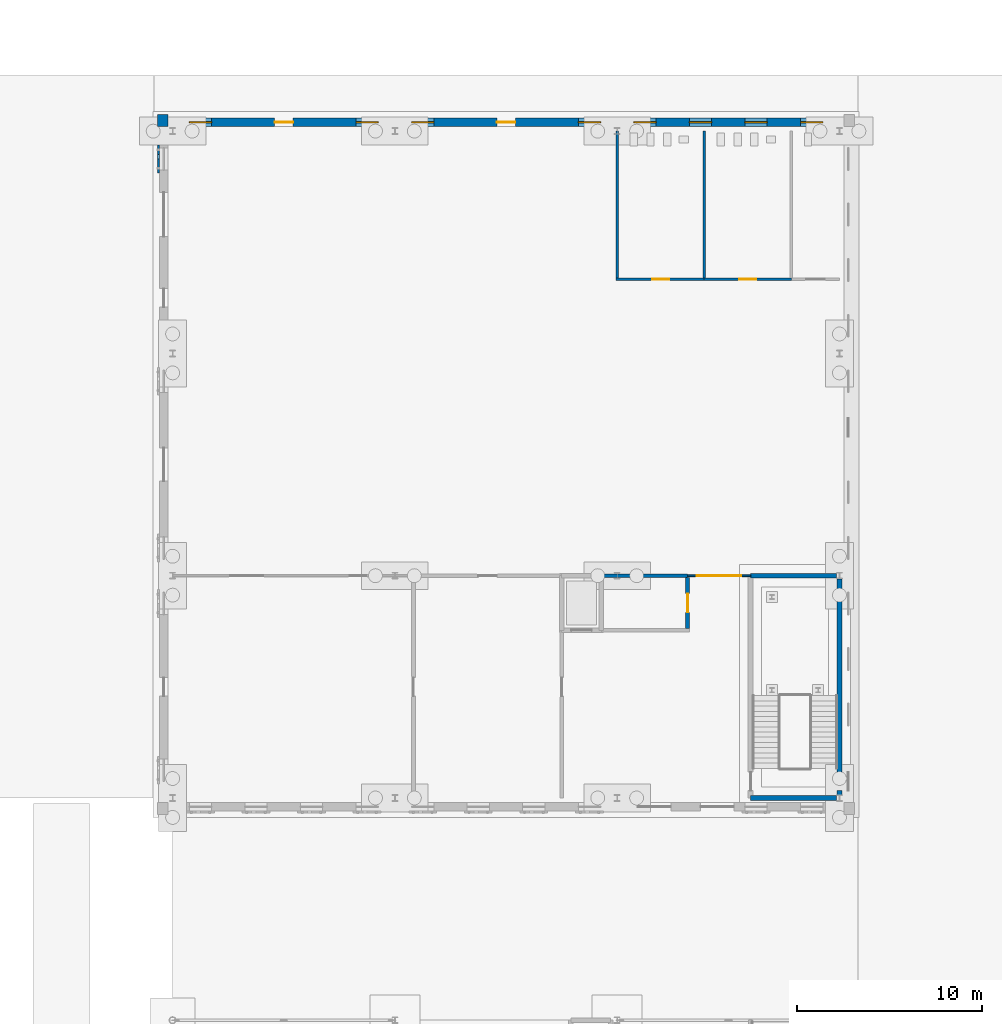
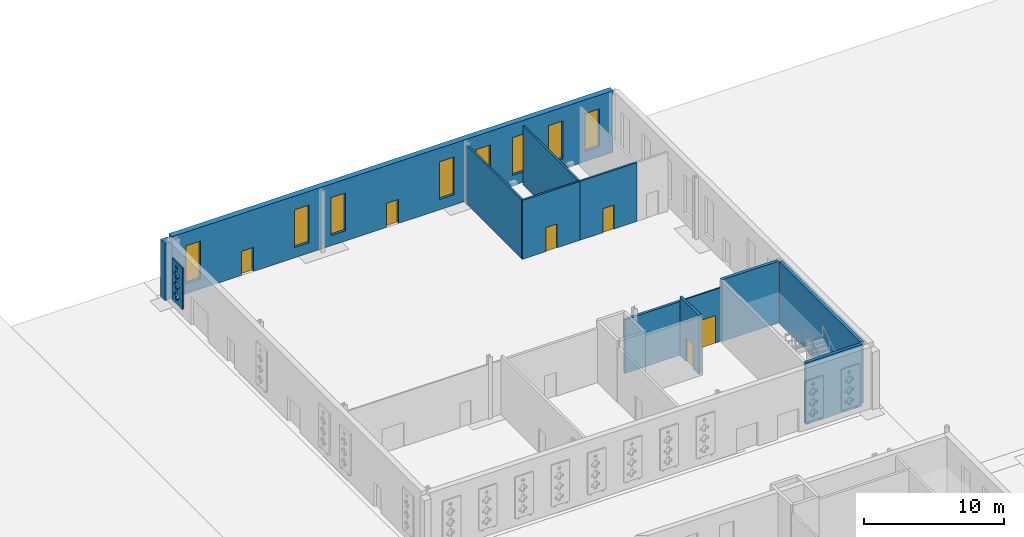
# One storey, part 87 of 132: 13 walls, 8 windows, 6 doors, 31 openings.
"""IFC4 building model written with IfcOpenShell, lengths in metres."""

from ifc_helpers import new_model, si_unit, direction, frame, frame_2d, origin, place, context, subcontext, project, spatial, rectangle, extrude, material, layer, layer_set, type_object, element, fill, save


model = new_model("IFC4")

# Units and contexts
model_context = context("Model", 3, precision=1e-05, world=origin(), true_north=direction((0.0, 1.0)))
body_context = subcontext(model_context, "Body", "Model", "MODEL_VIEW")
ifc_project = project(units=[si_unit("LENGTHUNIT", "METRE"), si_unit("AREAUNIT", "SQUARE_METRE"), si_unit("VOLUMEUNIT", "CUBIC_METRE"), si_unit("PLANEANGLEUNIT", "RADIAN"), si_unit("MASSUNIT", "GRAM", prefix="KILO")], contexts=[model_context])

# Site, building, storey
site_placement = place(None, origin())
site = spatial("IfcSite", under=ifc_project, at=site_placement, CompositionType="ELEMENT")
building_placement = place(site_placement, origin())
building = spatial("IfcBuilding", under=site, at=building_placement, Name="Ravi Spectrum Wholesale Market", CompositionType="ELEMENT")
storey_placement = place(building_placement, origin())
storey = spatial("IfcBuildingStorey", under=building, at=storey_placement, Name="L00", CompositionType="ELEMENT", Elevation=0.0)

# Wall, opening, door
ifc_material_1 = material(Name="Concrete blockwork", Category="masonry")
ifc_layer_1 = layer(ifc_material_1, 0.14990234375)
ifc_layer_set_1 = layer_set([ifc_layer_1], Name="Concrete blockwork")
wall_type_1 = type_object("IfcWallType", Name="Blockwork partition 150", PredefinedType="PARTITIONING", material=ifc_layer_set_1)
wall_1_placement = place(storey_placement, frame((185.925048828125, 226.0, 0.0), z_axis=(0.0, 0.0, 1.0), x_axis=(1.0, 0.0, 0.0)))
wall_1 = element("IfcWall", 1, at=wall_1_placement, inside=storey, type_object=wall_type_1, Name="AU-WL-L00-033", PredefinedType="PARTITIONING", context=body_context, shape_type="SweptSolid", body=[
    extrude(rectangle(XDim=4.77490234375, YDim=0.14990234375, at=frame_2d((2.387451171875, 0.0))), origin(), (0.0, 0.0, 1.0), 5.14990234375),
])
opening_1_placement = place(wall_1_placement, frame((1.97509765625, 0.0, 0.0)))
opening_1 = element("IfcOpeningElement", 2, at=opening_1_placement, cuts=wall_1, Name="Opening D400", PredefinedType="OPENING", context=body_context, shape_type="SweptSolid", body=[
    extrude(rectangle(XDim=0.89990234375, YDim=2.10009765625, at=frame_2d((0.449951171875, 1.050048828125))), frame((0.0, 0.0849609375, 0.0), z_axis=(0.0, -1.0, 0.0), x_axis=(1.0, 0.0, 0.0)), (0.0, 0.0, 1.0), 0.169921875),
])
ifc_material_2 = material(Name="Timber door", Category="wood")
door_type_1 = type_object("IfcDoorType", Name="Toilet door 900 x 2100", OperationType="SINGLE_SWING_LEFT", PredefinedType="DOOR", material=ifc_material_2)
door_1_placement = place(opening_1_placement, origin())
door_1 = element("IfcDoor", 3, at=door_1_placement, inside=storey, type_object=door_type_1, Name="Door D400", OperationType="SINGLE_SWING_RIGHT", OverallHeight=2.10009765625, OverallWidth=0.89990234375, PredefinedType="DOOR", context=body_context, shape_type="SweptSolid", body=[
    extrude(rectangle(XDim=0.89990234375, YDim=2.10009765625, at=frame_2d((0.449951171875, 1.050048828125))), frame((0.0, 0.02490234375, 0.0), z_axis=(0.0, -1.0, 0.0), x_axis=(1.0, 0.0, 0.0)), (0.0, 0.0, 1.0), 0.050048828125),
])
fill(opening_1, door_1)

wall_2_placement = place(storey_placement, frame((190.699951171875, 226.0, 0.0), z_axis=(0.0, 0.0, 1.0), x_axis=(1.0, 0.0, 0.0)))
wall_2 = element("IfcWall", 4, at=wall_2_placement, inside=storey, type_object=wall_type_1, Name="AU-WL-L00-034", PredefinedType="PARTITIONING", context=body_context, shape_type="SweptSolid", body=[
    extrude(rectangle(XDim=4.699951171875, YDim=0.14990234375, at=frame_2d((2.35009765625, 0.0))), origin(), (0.0, 0.0, 1.0), 5.14990234375),
])
opening_2_placement = place(wall_2_placement, frame((1.89990234375, 0.0, 0.0)))
opening_2 = element("IfcOpeningElement", 5, at=opening_2_placement, cuts=wall_2, Name="Opening D401", PredefinedType="OPENING", context=body_context, shape_type="SweptSolid", body=[
    extrude(rectangle(XDim=0.89990234375, YDim=2.10009765625, at=frame_2d((0.449951171875, 1.050048828125))), frame((0.0, 0.0849609375, 0.0), z_axis=(0.0, -1.0, 0.0), x_axis=(1.0, 0.0, 0.0)), (0.0, 0.0, 1.0), 0.169921875),
])
door_2_placement = place(opening_2_placement, origin())
door_2 = element("IfcDoor", 6, at=door_2_placement, inside=storey, type_object=door_type_1, Name="Door D401", OperationType="SINGLE_SWING_LEFT", OverallHeight=2.10009765625, OverallWidth=0.89990234375, PredefinedType="DOOR", context=body_context, shape_type="SweptSolid", body=[
    extrude(rectangle(XDim=0.89990234375, YDim=2.10009765625, at=frame_2d((0.449951171875, 1.050048828125))), frame((0.0, 0.02490234375, 0.0), z_axis=(0.0, -1.0, 0.0), x_axis=(1.0, 0.0, 0.0)), (0.0, 0.0, 1.0), 0.050048828125),
])
fill(opening_2, door_2)

# Walls
for number, where, z_axis, x_axis, name in (
    (7, (186.0, 226.074951171875, 0.0), (0.0, 0.0, 1.0), (0.0, 1.0, 0.0), "AU-WL-L00-038"),
    (8, (190.699951171875, 226.074951171875, 0.0), (0.0, 0.0, 1.0), (0.0, 1.0, 0.0), "AU-WL-L00-040"),
):
    element("IfcWall", number, at=place(storey_placement, frame(where, z_axis=z_axis, x_axis=x_axis)), inside=storey, type_object=wall_type_1, Name=name, PredefinedType="PARTITIONING", context=body_context, shape_type="SweptSolid", body=[
        extrude(rectangle(XDim=7.925048828125, YDim=0.14990234375, at=frame_2d((3.96240234375, 0.0))), origin(), (0.0, 0.0, 1.0), 5.14990234375),
    ])
ifc_material_3 = material(Name="Concrete blockwork", Category="masonry")
ifc_layer_2 = layer(ifc_material_3, 0.199951171875)
ifc_layer_set_2 = layer_set([ifc_layer_2], Name="Concrete blockwork")
wall_type_2 = type_object("IfcWallType", Name="Blockwork partition 200 fire", PredefinedType="PARTITIONING", material=ifc_layer_set_2)
wall_3_placement = place(storey_placement, frame((185.14990234375, 210.0, 0.0), z_axis=(0.0, 0.0, 1.0), x_axis=(1.0, 0.0, 0.0)))
element("IfcWall", 9, at=wall_3_placement, inside=storey, type_object=wall_type_2, Name="AU-WL-L00-031", PredefinedType="PARTITIONING", context=body_context, shape_type="SweptSolid", body=[
    extrude(rectangle(XDim=4.650146484375, YDim=0.199951171875, at=frame_2d((2.3251953125, 0.0))), origin(), (0.0, 0.0, 1.0), 4.699951171875),
])

# Wall, opening, door
wall_4_placement = place(storey_placement, frame((189.800048828125, 207.14990234375, 0.0), z_axis=(0.0, 0.0, 1.0), x_axis=(0.0, 1.0, 0.0)))
wall_4 = element("IfcWall", 10, at=wall_4_placement, inside=storey, type_object=wall_type_2, Name="AU-WL-L00-039", PredefinedType="PARTITIONING", context=body_context, shape_type="SweptSolid", body=[
    extrude(rectangle(XDim=2.75, YDim=0.199951171875, at=frame_2d((1.375, 0.0))), origin(), (0.0, 0.0, 1.0), 5.14990234375),
])
opening_3_placement = place(wall_4_placement, frame((0.875, 0.0, 0.0)))
opening_3 = element("IfcOpeningElement", 11, at=opening_3_placement, cuts=wall_4, Name="Opening D421", PredefinedType="OPENING", context=body_context, shape_type="SweptSolid", body=[
    extrude(rectangle(XDim=1.0, YDim=2.10009765625, at=frame_2d((0.5, 1.050048828125))), frame((0.0, 0.10986328125, 0.0), z_axis=(0.0, -1.0, 0.0), x_axis=(1.0, 0.0, 0.0)), (0.0, 0.0, 1.0), 0.219970703125),
])
ifc_material_4 = material(Name="Steel door", Category="steel")
door_type_2 = type_object("IfcDoorType", Name="Plant room door 1000 x 2100", OperationType="SINGLE_SWING_LEFT", PredefinedType="DOOR", material=ifc_material_4)
door_3_placement = place(opening_3_placement, origin())
door_3 = element("IfcDoor", 12, at=door_3_placement, inside=storey, type_object=door_type_2, Name="Riser access door D421", OperationType="SINGLE_SWING_LEFT", OverallHeight=2.10009765625, OverallWidth=1.0, PredefinedType="DOOR", context=body_context, shape_type="SweptSolid", body=[
    extrude(rectangle(XDim=1.0, YDim=2.10009765625, at=frame_2d((0.5, 1.050048828125))), frame((0.0, 0.02490234375, 0.0), z_axis=(0.0, -1.0, 0.0), x_axis=(1.0, 0.0, 0.0)), (0.0, 0.0, 1.0), 0.050048828125),
])
fill(opening_3, door_3)

# Wall, openings, doors, windows
ifc_material_5 = material(Name="Clinker brickwork", Category="masonry")
ifc_layer_3 = layer(ifc_material_5, 0.4599609375)
ifc_layer_set_3 = layer_set([ifc_layer_3], Name="Clinker brickwork")
wall_type_3 = type_object("IfcWallType", Name="Brick 460 pier wall", PredefinedType="SOLIDWALL", material=ifc_layer_set_3)
wall_5_placement = place(storey_placement, frame((198.25, 234.47998046875, 0.0), z_axis=(0.0, 0.0, 1.0), x_axis=(-1.0, 0.0, 0.0)))
wall_5 = element("IfcWall", 13, at=wall_5_placement, inside=storey, type_object=wall_type_3, Name="AU-WL-L00-021", PredefinedType="SOLIDWALL", context=body_context, shape_type="SweptSolid", body=[
    extrude(rectangle(XDim=36.5, YDim=0.4599609375, at=frame_2d((18.25, 0.0))), origin(), (0.0, 0.0, 1.0), 5.39990234375),
])
opening_4_placement = place(wall_5_placement, frame((18.75, 0.0, 0.0), z_axis=(0.0, 0.0, 1.0), x_axis=(-1.0, 0.0, 0.0)))
opening_4 = element("IfcOpeningElement", 14, at=opening_4_placement, cuts=wall_5, Name="Opening D418", PredefinedType="OPENING", context=body_context, shape_type="SweptSolid", body=[
    extrude(rectangle(XDim=1.0, YDim=2.10009765625, at=frame_2d((0.5, 1.050048828125))), frame((0.0, 0.239990234375, 0.0), z_axis=(0.0, -1.0, 0.0), x_axis=(1.0, 0.0, 0.0)), (0.0, 0.0, 1.0), 0.47998046875),
])
opening_5_placement = place(wall_5_placement, frame((30.75, 0.0, 0.0), z_axis=(0.0, 0.0, 1.0), x_axis=(-1.0, 0.0, 0.0)))
opening_5 = element("IfcOpeningElement", 15, at=opening_5_placement, cuts=wall_5, Name="Opening D417", PredefinedType="OPENING", context=body_context, shape_type="SweptSolid", body=[
    extrude(rectangle(XDim=1.0, YDim=2.10009765625, at=frame_2d((0.5, 1.050048828125))), frame((0.0, 0.239990234375, 0.0), z_axis=(0.0, -1.0, 0.0), x_axis=(1.0, 0.0, 0.0)), (0.0, 0.0, 1.0), 0.47998046875),
])
opening_6_placement = place(wall_5_placement, frame((1.14990234375, 0.0, 0.89990234375)))
opening_6 = element("IfcOpeningElement", 16, at=opening_6_placement, cuts=wall_5, Name="Opening W2420", PredefinedType="OPENING", context=body_context, shape_type="SweptSolid", body=[
    extrude(rectangle(XDim=1.199951171875, YDim=3.300048828125, at=frame_2d((0.60009765625, 1.64990234375))), frame((0.0, 0.239990234375, 0.0), z_axis=(0.0, -1.0, 0.0), x_axis=(1.0, 0.0, 0.0)), (0.0, 0.0, 1.0), 0.47998046875),
])
opening_7_placement = place(wall_5_placement, frame((4.14990234375, 0.0, 0.89990234375)))
opening_7 = element("IfcOpeningElement", 17, at=opening_7_placement, cuts=wall_5, Name="Opening W2421", PredefinedType="OPENING", context=body_context, shape_type="SweptSolid", body=[
    extrude(rectangle(XDim=1.199951171875, YDim=3.300048828125, at=frame_2d((0.60009765625, 1.64990234375))), frame((0.0, 0.239990234375, 0.0), z_axis=(0.0, -1.0, 0.0), x_axis=(1.0, 0.0, 0.0)), (0.0, 0.0, 1.0), 0.47998046875),
])
opening_8_placement = place(wall_5_placement, frame((7.14990234375, 0.0, 0.89990234375)))
opening_8 = element("IfcOpeningElement", 18, at=opening_8_placement, cuts=wall_5, Name="Opening W2422", PredefinedType="OPENING", context=body_context, shape_type="SweptSolid", body=[
    extrude(rectangle(XDim=1.199951171875, YDim=3.300048828125, at=frame_2d((0.60009765625, 1.64990234375))), frame((0.0, 0.239990234375, 0.0), z_axis=(0.0, -1.0, 0.0), x_axis=(1.0, 0.0, 0.0)), (0.0, 0.0, 1.0), 0.47998046875),
])
opening_9_placement = place(wall_5_placement, frame((10.14990234375, 0.0, 0.89990234375)))
opening_9 = element("IfcOpeningElement", 19, at=opening_9_placement, cuts=wall_5, Name="Opening W2423", PredefinedType="OPENING", context=body_context, shape_type="SweptSolid", body=[
    extrude(rectangle(XDim=1.199951171875, YDim=3.300048828125, at=frame_2d((0.60009765625, 1.64990234375))), frame((0.0, 0.239990234375, 0.0), z_axis=(0.0, -1.0, 0.0), x_axis=(1.0, 0.0, 0.0)), (0.0, 0.0, 1.0), 0.47998046875),
])
opening_10_placement = place(wall_5_placement, frame((13.14990234375, 0.0, 0.89990234375)))
opening_10 = element("IfcOpeningElement", 20, at=opening_10_placement, cuts=wall_5, Name="Opening W2424", PredefinedType="OPENING", context=body_context, shape_type="SweptSolid", body=[
    extrude(rectangle(XDim=1.199951171875, YDim=3.300048828125, at=frame_2d((0.60009765625, 1.64990234375))), frame((0.0, 0.239990234375, 0.0), z_axis=(0.0, -1.0, 0.0), x_axis=(1.0, 0.0, 0.0)), (0.0, 0.0, 1.0), 0.47998046875),
])
opening_11_placement = place(wall_5_placement, frame((22.14990234375, 0.0, 0.89990234375)))
opening_11 = element("IfcOpeningElement", 21, at=opening_11_placement, cuts=wall_5, Name="Opening W2425", PredefinedType="OPENING", context=body_context, shape_type="SweptSolid", body=[
    extrude(rectangle(XDim=1.199951171875, YDim=3.300048828125, at=frame_2d((0.60009765625, 1.64990234375))), frame((0.0, 0.239990234375, 0.0), z_axis=(0.0, -1.0, 0.0), x_axis=(1.0, 0.0, 0.0)), (0.0, 0.0, 1.0), 0.47998046875),
])
opening_12_placement = place(wall_5_placement, frame((25.14990234375, 0.0, 0.89990234375)))
opening_12 = element("IfcOpeningElement", 22, at=opening_12_placement, cuts=wall_5, Name="Opening W2426", PredefinedType="OPENING", context=body_context, shape_type="SweptSolid", body=[
    extrude(rectangle(XDim=1.199951171875, YDim=3.300048828125, at=frame_2d((0.60009765625, 1.64990234375))), frame((0.0, 0.239990234375, 0.0), z_axis=(0.0, -1.0, 0.0), x_axis=(1.0, 0.0, 0.0)), (0.0, 0.0, 1.0), 0.47998046875),
])
opening_13_placement = place(wall_5_placement, frame((34.14990234375, 0.0, 0.89990234375)))
opening_13 = element("IfcOpeningElement", 23, at=opening_13_placement, cuts=wall_5, Name="Opening W2427", PredefinedType="OPENING", context=body_context, shape_type="SweptSolid", body=[
    extrude(rectangle(XDim=1.199951171875, YDim=3.300048828125, at=frame_2d((0.60009765625, 1.64990234375))), frame((0.0, 0.239990234375, 0.0), z_axis=(0.0, -1.0, 0.0), x_axis=(1.0, 0.0, 0.0)), (0.0, 0.0, 1.0), 0.47998046875),
])
ifc_material_6 = material(Name="Steel door", Category="steel")
door_type_3 = type_object("IfcDoorType", Name="Pedestrian exit door 1000 x 2100", OperationType="SINGLE_SWING_LEFT", PredefinedType="DOOR", material=ifc_material_6)
door_4_placement = place(opening_4_placement, origin())
door_4 = element("IfcDoor", 24, at=door_4_placement, inside=storey, type_object=door_type_3, Name="Door D418", OperationType="SINGLE_SWING_RIGHT", OverallHeight=2.10009765625, OverallWidth=1.0, PredefinedType="DOOR", context=body_context, shape_type="SweptSolid", body=[
    extrude(rectangle(XDim=1.0, YDim=2.10009765625, at=frame_2d((0.5, 1.050048828125))), frame((0.0, 0.02490234375, 0.0), z_axis=(0.0, -1.0, 0.0), x_axis=(1.0, 0.0, 0.0)), (0.0, 0.0, 1.0), 0.050048828125),
])
fill(opening_4, door_4)
door_5_placement = place(opening_5_placement, origin())
door_5 = element("IfcDoor", 25, at=door_5_placement, inside=storey, type_object=door_type_3, Name="Door D417", OperationType="SINGLE_SWING_LEFT", OverallHeight=2.10009765625, OverallWidth=1.0, PredefinedType="DOOR", context=body_context, shape_type="SweptSolid", body=[
    extrude(rectangle(XDim=1.0, YDim=2.10009765625, at=frame_2d((0.5, 1.050048828125))), frame((0.0, 0.02490234375, 0.0), z_axis=(0.0, -1.0, 0.0), x_axis=(1.0, 0.0, 0.0)), (0.0, 0.0, 1.0), 0.050048828125),
])
fill(opening_5, door_5)
ifc_material_7 = material(Name="Steel window frame", Category="steel")
window_type = type_object("IfcWindowType", Name="Tall pier window 1200 x 3300", PartitioningType="SINGLE_PANEL", PredefinedType="WINDOW", material=ifc_material_7)
window_1_placement = place(opening_6_placement, origin())
window_1 = element("IfcWindow", 26, at=window_1_placement, inside=storey, type_object=window_type, Name="Window W2420", OverallHeight=3.300048828125, OverallWidth=1.199951171875, PartitioningType="SINGLE_PANEL", PredefinedType="WINDOW", context=body_context, shape_type="SweptSolid", body=[
    extrude(rectangle(XDim=1.199951171875, YDim=3.300048828125, at=frame_2d((0.60009765625, 1.64990234375))), frame((0.0, 0.030029296875, 0.0), z_axis=(0.0, -1.0, 0.0), x_axis=(1.0, 0.0, 0.0)), (0.0, 0.0, 1.0), 0.06005859375),
])
fill(opening_6, window_1)
window_2_placement = place(opening_7_placement, origin())
window_2 = element("IfcWindow", 27, at=window_2_placement, inside=storey, type_object=window_type, Name="Window W2421", OverallHeight=3.300048828125, OverallWidth=1.199951171875, PartitioningType="SINGLE_PANEL", PredefinedType="WINDOW", context=body_context, shape_type="SweptSolid", body=[
    extrude(rectangle(XDim=1.199951171875, YDim=3.300048828125, at=frame_2d((0.60009765625, 1.64990234375))), frame((0.0, 0.030029296875, 0.0), z_axis=(0.0, -1.0, 0.0), x_axis=(1.0, 0.0, 0.0)), (0.0, 0.0, 1.0), 0.06005859375),
])
fill(opening_7, window_2)
window_3_placement = place(opening_8_placement, origin())
window_3 = element("IfcWindow", 28, at=window_3_placement, inside=storey, type_object=window_type, Name="Window W2422", OverallHeight=3.300048828125, OverallWidth=1.199951171875, PartitioningType="SINGLE_PANEL", PredefinedType="WINDOW", context=body_context, shape_type="SweptSolid", body=[
    extrude(rectangle(XDim=1.199951171875, YDim=3.300048828125, at=frame_2d((0.60009765625, 1.64990234375))), frame((0.0, 0.030029296875, 0.0), z_axis=(0.0, -1.0, 0.0), x_axis=(1.0, 0.0, 0.0)), (0.0, 0.0, 1.0), 0.06005859375),
])
fill(opening_8, window_3)
window_4_placement = place(opening_9_placement, origin())
window_4 = element("IfcWindow", 29, at=window_4_placement, inside=storey, type_object=window_type, Name="Window W2423", OverallHeight=3.300048828125, OverallWidth=1.199951171875, PartitioningType="SINGLE_PANEL", PredefinedType="WINDOW", context=body_context, shape_type="SweptSolid", body=[
    extrude(rectangle(XDim=1.199951171875, YDim=3.300048828125, at=frame_2d((0.60009765625, 1.64990234375))), frame((0.0, 0.030029296875, 0.0), z_axis=(0.0, -1.0, 0.0), x_axis=(1.0, 0.0, 0.0)), (0.0, 0.0, 1.0), 0.06005859375),
])
fill(opening_9, window_4)
window_5_placement = place(opening_10_placement, origin())
window_5 = element("IfcWindow", 30, at=window_5_placement, inside=storey, type_object=window_type, Name="Window W2424", OverallHeight=3.300048828125, OverallWidth=1.199951171875, PartitioningType="SINGLE_PANEL", PredefinedType="WINDOW", context=body_context, shape_type="SweptSolid", body=[
    extrude(rectangle(XDim=1.199951171875, YDim=3.300048828125, at=frame_2d((0.60009765625, 1.64990234375))), frame((0.0, 0.030029296875, 0.0), z_axis=(0.0, -1.0, 0.0), x_axis=(1.0, 0.0, 0.0)), (0.0, 0.0, 1.0), 0.06005859375),
])
fill(opening_10, window_5)
window_6_placement = place(opening_11_placement, origin())
window_6 = element("IfcWindow", 31, at=window_6_placement, inside=storey, type_object=window_type, Name="Window W2425", OverallHeight=3.300048828125, OverallWidth=1.199951171875, PartitioningType="SINGLE_PANEL", PredefinedType="WINDOW", context=body_context, shape_type="SweptSolid", body=[
    extrude(rectangle(XDim=1.199951171875, YDim=3.300048828125, at=frame_2d((0.60009765625, 1.64990234375))), frame((0.0, 0.030029296875, 0.0), z_axis=(0.0, -1.0, 0.0), x_axis=(1.0, 0.0, 0.0)), (0.0, 0.0, 1.0), 0.06005859375),
])
fill(opening_11, window_6)
window_7_placement = place(opening_12_placement, origin())
window_7 = element("IfcWindow", 32, at=window_7_placement, inside=storey, type_object=window_type, Name="Window W2426", OverallHeight=3.300048828125, OverallWidth=1.199951171875, PartitioningType="SINGLE_PANEL", PredefinedType="WINDOW", context=body_context, shape_type="SweptSolid", body=[
    extrude(rectangle(XDim=1.199951171875, YDim=3.300048828125, at=frame_2d((0.60009765625, 1.64990234375))), frame((0.0, 0.030029296875, 0.0), z_axis=(0.0, -1.0, 0.0), x_axis=(1.0, 0.0, 0.0)), (0.0, 0.0, 1.0), 0.06005859375),
])
fill(opening_12, window_7)
window_8_placement = place(opening_13_placement, origin())
window_8 = element("IfcWindow", 33, at=window_8_placement, inside=storey, type_object=window_type, Name="Window W2427", OverallHeight=3.300048828125, OverallWidth=1.199951171875, PartitioningType="SINGLE_PANEL", PredefinedType="WINDOW", context=body_context, shape_type="SweptSolid", body=[
    extrude(rectangle(XDim=1.199951171875, YDim=3.300048828125, at=frame_2d((0.60009765625, 1.64990234375))), frame((0.0, 0.030029296875, 0.0), z_axis=(0.0, -1.0, 0.0), x_axis=(1.0, 0.0, 0.0)), (0.0, 0.0, 1.0), 0.06005859375),
])
fill(opening_13, window_8)

# Walls
ifc_material_8 = material(Name="Clinker brickwork", Category="masonry")
ifc_layer_4 = layer(ifc_material_8, 0.64501953125)
ifc_layer_set_4 = layer_set([ifc_layer_4], Name="Clinker brickwork")
wall_type_4 = type_object("IfcWallType", Name="Brick pier 645", PredefinedType="SOLIDWALL", material=ifc_layer_set_4)
wall_6_placement = place(storey_placement, frame((161.75, 234.572509765625, 0.0), z_axis=(0.0, 0.0, 1.0), x_axis=(-1.0, 0.0, 0.0)))
element("IfcWall", 34, at=wall_6_placement, inside=storey, type_object=wall_type_4, Name="AU-WL-L00-008", PredefinedType="SOLIDWALL", context=body_context, shape_type="SweptSolid", body=[
    extrude(rectangle(XDim=0.574951171875, YDim=0.64501953125, at=frame_2d((0.28759765625, 0.0))), origin(), (0.0, 0.0, 1.0), 5.010009765625),
])
ifc_material_9 = material(Name="Concrete C35/45", Category="concrete")
ifc_layer_5 = layer(ifc_material_9, 0.25)
ifc_layer_set_5 = layer_set([ifc_layer_5], Name="Concrete C35/45")
wall_type_5 = type_object("IfcWallType", Name="Concrete core wall 250", PredefinedType="SHEAR", material=ifc_layer_set_5)
wall_7_placement = place(storey_placement, frame((193.199951171875, 198.0, 0.0), z_axis=(0.0, 0.0, 1.0), x_axis=(1.0, 0.0, 0.0)))
element("IfcWall", 35, at=wall_7_placement, inside=storey, type_object=wall_type_5, Name="Stair core wall Stair S-AU-1", PredefinedType="SHEAR", context=body_context, shape_type="SweptSolid", body=[
    extrude(rectangle(XDim=4.650146484375, YDim=0.25, at=frame_2d((2.3251953125, 0.0))), origin(), (0.0, 0.0, 1.0), 5.39990234375),
])

# Wall, opening
wall_8_placement = place(storey_placement, frame((198.0, 198.169921875, 0.0), z_axis=(0.0, 0.0, 1.0), x_axis=(0.0, 1.0, 0.0)))
wall_8 = element("IfcWall", 36, at=wall_8_placement, inside=storey, type_object=wall_type_5, Name="Stair core wall Stair S-AU-1", PredefinedType="SHEAR", context=body_context, shape_type="SweptSolid", body=[
    extrude(rectangle(XDim=11.66015625, YDim=0.25, at=frame_2d((5.830078125, 0.0))), origin(), (0.0, 0.0, 1.0), 5.39990234375),
])
opening_14_placement = place(wall_8_placement, frame((0.22998046875, 0.0, 0.0)))
element("IfcOpeningElement", 37, at=opening_14_placement, cuts=wall_8, Name="Opening AU-OP-L00-241", PredefinedType="OPENING", context=body_context, shape_type="SweptSolid", body=[
    extrude(rectangle(XDim=1.0, YDim=2.10009765625, at=frame_2d((0.5, 1.050048828125))), frame((0.0, 0.135009765625, 0.0), z_axis=(0.0, -1.0, 0.0), x_axis=(1.0, 0.0, 0.0)), (0.0, 0.0, 1.0), 0.27001953125),
])

# Wall
wall_9_placement = place(storey_placement, frame((193.199951171875, 210.0, 0.0), z_axis=(0.0, 0.0, 1.0), x_axis=(1.0, 0.0, 0.0)))
element("IfcWall", 38, at=wall_9_placement, inside=storey, type_object=wall_type_5, Name="Stair core wall Stair S-AU-1", PredefinedType="SHEAR", context=body_context, shape_type="SweptSolid", body=[
    extrude(rectangle(XDim=4.650146484375, YDim=0.25, at=frame_2d((2.3251953125, 0.0))), origin(), (0.0, 0.0, 1.0), 5.39990234375),
])

# Wall, opening, door
ifc_material_10 = material(Name="Gypsum board partition")
ifc_layer_6 = layer(ifc_material_10, 0.10009765625)
ifc_layer_set_6 = layer_set([ifc_layer_6], Name="Gypsum board partition")
wall_type_6 = type_object("IfcWallType", Name="Drywall partition 100", PredefinedType="PARTITIONING", material=ifc_layer_set_6)
wall_10_placement = place(storey_placement, frame((189.800048828125, 210.0, 0.0), z_axis=(0.0, 0.0, 1.0), x_axis=(1.0, 0.0, 0.0)))
wall_10 = element("IfcWall", 39, at=wall_10_placement, inside=storey, type_object=wall_type_6, Name="AU-WL-L00-032", PredefinedType="PARTITIONING", context=body_context, shape_type="SweptSolid", body=[
    extrude(rectangle(XDim=3.39990234375, YDim=0.10009765625, at=frame_2d((1.699951171875, 0.0))), origin(), (0.0, 0.0, 1.0), 4.699951171875),
])
opening_15_placement = place(wall_10_placement, frame((0.5, 0.0, 0.0)))
opening_15 = element("IfcOpeningElement", 40, at=opening_15_placement, cuts=wall_10, Name="Opening D411", PredefinedType="OPENING", context=body_context, shape_type="SweptSolid", body=[
    extrude(rectangle(XDim=2.39990234375, YDim=2.39990234375, at=frame_2d((1.199951171875, 1.199951171875))), frame((0.0, 0.06005859375, 0.0), z_axis=(0.0, -1.0, 0.0), x_axis=(1.0, 0.0, 0.0)), (0.0, 0.0, 1.0), 0.1201171875),
])
ifc_material_11 = material(Name="Aluminium glazed door", Category="aluminium")
door_type_4 = type_object("IfcDoorType", Name="Hall entrance sliding door 2400 x 2400", OperationType="SLIDING_TO_LEFT", PredefinedType="DOOR", material=ifc_material_11)
door_6_placement = place(opening_15_placement, origin())
door_6 = element("IfcDoor", 41, at=door_6_placement, inside=storey, type_object=door_type_4, Name="Door D411", OperationType="SLIDING_TO_LEFT", OverallHeight=2.39990234375, OverallWidth=2.39990234375, PredefinedType="DOOR", context=body_context, shape_type="SweptSolid", body=[
    extrude(rectangle(XDim=2.39990234375, YDim=2.39990234375, at=frame_2d((1.199951171875, 1.199951171875))), frame((0.0, 0.02490234375, 0.0), z_axis=(0.0, -1.0, 0.0), x_axis=(1.0, 0.0, 0.0)), (0.0, 0.0, 1.0), 0.050048828125),
])
fill(opening_15, door_6)

# Wall, openings
ifc_material_12 = material(Name="Facing brickwork", Category="masonry")
ifc_layer_7 = layer(ifc_material_12, 0.114990234375)
ifc_layer_set_7 = layer_set([ifc_layer_7], Name="Facing brickwork")
wall_type_7 = type_object("IfcWallType", Name="Perforated brick screen 115", PredefinedType="SOLIDWALL", material=ifc_layer_set_7)
wall_11_placement = place(storey_placement, frame((161.232421875, 233.25, 0.75), z_axis=(0.0, 0.0, 1.0), x_axis=(0.0, -1.0, 0.0)))
wall_11 = element("IfcWall", 42, at=wall_11_placement, inside=storey, type_object=wall_type_7, Name="AU-WL-L00-023", PredefinedType="SOLIDWALL", context=body_context, shape_type="SweptSolid", body=[
    extrude(rectangle(XDim=1.5, YDim=0.114990234375, at=frame_2d((0.75, 0.0))), origin(), (0.0, 0.0, 1.0), 3.60009765625),
])
opening_16_placement = place(wall_11_placement, frame((0.52001953125, 0.0, 0.304931640625)))
element("IfcOpeningElement", 43, at=opening_16_placement, cuts=wall_11, Name="Opening AU-OP-L00-161", PredefinedType="OPENING", context=body_context, shape_type="SweptSolid", body=[
    extrude(rectangle(XDim=0.22998046875, YDim=0.22998046875, at=frame_2d((0.114990234375, 0.114990234375))), frame((0.0, 0.0673828125, 0.0), z_axis=(0.0, -1.0, 0.0), x_axis=(1.0, 0.0, 0.0)), (0.0, 0.0, 1.0), 0.135009765625),
])
opening_17_placement = place(wall_11_placement, frame((0.2900390625, 0.0, 0.534912109375)))
element("IfcOpeningElement", 44, at=opening_17_placement, cuts=wall_11, Name="Opening AU-OP-L00-162", PredefinedType="OPENING", context=body_context, shape_type="SweptSolid", body=[
    extrude(rectangle(XDim=0.22998046875, YDim=0.22998046875, at=frame_2d((0.114990234375, 0.114990234375))), frame((0.0, 0.0673828125, 0.0), z_axis=(0.0, -1.0, 0.0), x_axis=(1.0, 0.0, 0.0)), (0.0, 0.0, 1.0), 0.135009765625),
])
opening_18_placement = place(wall_11_placement, frame((0.52001953125, 0.0, 0.534912109375)))
element("IfcOpeningElement", 45, at=opening_18_placement, cuts=wall_11, Name="Opening AU-OP-L00-163", PredefinedType="OPENING", context=body_context, shape_type="SweptSolid", body=[
    extrude(rectangle(XDim=0.22998046875, YDim=0.22998046875, at=frame_2d((0.114990234375, 0.114990234375))), frame((0.0, 0.0673828125, 0.0), z_axis=(0.0, -1.0, 0.0), x_axis=(1.0, 0.0, 0.0)), (0.0, 0.0, 1.0), 0.135009765625),
])
opening_19_placement = place(wall_11_placement, frame((0.75, 0.0, 0.534912109375)))
element("IfcOpeningElement", 46, at=opening_19_placement, cuts=wall_11, Name="Opening AU-OP-L00-164", PredefinedType="OPENING", context=body_context, shape_type="SweptSolid", body=[
    extrude(rectangle(XDim=0.22998046875, YDim=0.22998046875, at=frame_2d((0.114990234375, 0.114990234375))), frame((0.0, 0.0673828125, 0.0), z_axis=(0.0, -1.0, 0.0), x_axis=(1.0, 0.0, 0.0)), (0.0, 0.0, 1.0), 0.135009765625),
])
opening_20_placement = place(wall_11_placement, frame((0.52001953125, 0.0, 0.764892578125)))
element("IfcOpeningElement", 47, at=opening_20_placement, cuts=wall_11, Name="Opening AU-OP-L00-165", PredefinedType="OPENING", context=body_context, shape_type="SweptSolid", body=[
    extrude(rectangle(XDim=0.22998046875, YDim=0.22998046875, at=frame_2d((0.114990234375, 0.114990234375))), frame((0.0, 0.0673828125, 0.0), z_axis=(0.0, -1.0, 0.0), x_axis=(1.0, 0.0, 0.0)), (0.0, 0.0, 1.0), 0.135009765625),
])
opening_21_placement = place(wall_11_placement, frame((0.52001953125, 0.0, 1.22509765625)))
element("IfcOpeningElement", 48, at=opening_21_placement, cuts=wall_11, Name="Opening AU-OP-L00-166", PredefinedType="OPENING", context=body_context, shape_type="SweptSolid", body=[
    extrude(rectangle(XDim=0.22998046875, YDim=0.22998046875, at=frame_2d((0.114990234375, 0.114990234375))), frame((0.0, 0.0673828125, 0.0), z_axis=(0.0, -1.0, 0.0), x_axis=(1.0, 0.0, 0.0)), (0.0, 0.0, 1.0), 0.135009765625),
])
opening_22_placement = place(wall_11_placement, frame((0.2900390625, 0.0, 1.455078125)))
element("IfcOpeningElement", 49, at=opening_22_placement, cuts=wall_11, Name="Opening AU-OP-L00-167", PredefinedType="OPENING", context=body_context, shape_type="SweptSolid", body=[
    extrude(rectangle(XDim=0.22998046875, YDim=0.22998046875, at=frame_2d((0.114990234375, 0.114990234375))), frame((0.0, 0.0673828125, 0.0), z_axis=(0.0, -1.0, 0.0), x_axis=(1.0, 0.0, 0.0)), (0.0, 0.0, 1.0), 0.135009765625),
])
opening_23_placement = place(wall_11_placement, frame((0.52001953125, 0.0, 1.455078125)))
element("IfcOpeningElement", 50, at=opening_23_placement, cuts=wall_11, Name="Opening AU-OP-L00-168", PredefinedType="OPENING", context=body_context, shape_type="SweptSolid", body=[
    extrude(rectangle(XDim=0.22998046875, YDim=0.22998046875, at=frame_2d((0.114990234375, 0.114990234375))), frame((0.0, 0.0673828125, 0.0), z_axis=(0.0, -1.0, 0.0), x_axis=(1.0, 0.0, 0.0)), (0.0, 0.0, 1.0), 0.135009765625),
])
opening_24_placement = place(wall_11_placement, frame((0.75, 0.0, 1.455078125)))
element("IfcOpeningElement", 51, at=opening_24_placement, cuts=wall_11, Name="Opening AU-OP-L00-169", PredefinedType="OPENING", context=body_context, shape_type="SweptSolid", body=[
    extrude(rectangle(XDim=0.22998046875, YDim=0.22998046875, at=frame_2d((0.114990234375, 0.114990234375))), frame((0.0, 0.0673828125, 0.0), z_axis=(0.0, -1.0, 0.0), x_axis=(1.0, 0.0, 0.0)), (0.0, 0.0, 1.0), 0.135009765625),
])
opening_25_placement = place(wall_11_placement, frame((0.52001953125, 0.0, 1.68505859375)))
element("IfcOpeningElement", 52, at=opening_25_placement, cuts=wall_11, Name="Opening AU-OP-L00-170", PredefinedType="OPENING", context=body_context, shape_type="SweptSolid", body=[
    extrude(rectangle(XDim=0.22998046875, YDim=0.22998046875, at=frame_2d((0.114990234375, 0.114990234375))), frame((0.0, 0.0673828125, 0.0), z_axis=(0.0, -1.0, 0.0), x_axis=(1.0, 0.0, 0.0)), (0.0, 0.0, 1.0), 0.135009765625),
])
opening_26_placement = place(wall_11_placement, frame((0.52001953125, 0.0, 2.14501953125)))
element("IfcOpeningElement", 53, at=opening_26_placement, cuts=wall_11, Name="Opening AU-OP-L00-171", PredefinedType="OPENING", context=body_context, shape_type="SweptSolid", body=[
    extrude(rectangle(XDim=0.22998046875, YDim=0.22998046875, at=frame_2d((0.114990234375, 0.114990234375))), frame((0.0, 0.0673828125, 0.0), z_axis=(0.0, -1.0, 0.0), x_axis=(1.0, 0.0, 0.0)), (0.0, 0.0, 1.0), 0.135009765625),
])
opening_27_placement = place(wall_11_placement, frame((0.2900390625, 0.0, 2.375)))
element("IfcOpeningElement", 54, at=opening_27_placement, cuts=wall_11, Name="Opening AU-OP-L00-172", PredefinedType="OPENING", context=body_context, shape_type="SweptSolid", body=[
    extrude(rectangle(XDim=0.22998046875, YDim=0.22998046875, at=frame_2d((0.114990234375, 0.114990234375))), frame((0.0, 0.0673828125, 0.0), z_axis=(0.0, -1.0, 0.0), x_axis=(1.0, 0.0, 0.0)), (0.0, 0.0, 1.0), 0.135009765625),
])
opening_28_placement = place(wall_11_placement, frame((0.52001953125, 0.0, 2.375)))
element("IfcOpeningElement", 55, at=opening_28_placement, cuts=wall_11, Name="Opening AU-OP-L00-173", PredefinedType="OPENING", context=body_context, shape_type="SweptSolid", body=[
    extrude(rectangle(XDim=0.22998046875, YDim=0.22998046875, at=frame_2d((0.114990234375, 0.114990234375))), frame((0.0, 0.0673828125, 0.0), z_axis=(0.0, -1.0, 0.0), x_axis=(1.0, 0.0, 0.0)), (0.0, 0.0, 1.0), 0.135009765625),
])
opening_29_placement = place(wall_11_placement, frame((0.75, 0.0, 2.375)))
element("IfcOpeningElement", 56, at=opening_29_placement, cuts=wall_11, Name="Opening AU-OP-L00-174", PredefinedType="OPENING", context=body_context, shape_type="SweptSolid", body=[
    extrude(rectangle(XDim=0.22998046875, YDim=0.22998046875, at=frame_2d((0.114990234375, 0.114990234375))), frame((0.0, 0.0673828125, 0.0), z_axis=(0.0, -1.0, 0.0), x_axis=(1.0, 0.0, 0.0)), (0.0, 0.0, 1.0), 0.135009765625),
])
opening_30_placement = place(wall_11_placement, frame((0.52001953125, 0.0, 2.60498046875)))
element("IfcOpeningElement", 57, at=opening_30_placement, cuts=wall_11, Name="Opening AU-OP-L00-175", PredefinedType="OPENING", context=body_context, shape_type="SweptSolid", body=[
    extrude(rectangle(XDim=0.22998046875, YDim=0.22998046875, at=frame_2d((0.114990234375, 0.114990234375))), frame((0.0, 0.0673828125, 0.0), z_axis=(0.0, -1.0, 0.0), x_axis=(1.0, 0.0, 0.0)), (0.0, 0.0, 1.0), 0.135009765625),
])
opening_31_placement = place(wall_11_placement, frame((0.52001953125, 0.0, 3.06494140625)))
element("IfcOpeningElement", 58, at=opening_31_placement, cuts=wall_11, Name="Opening AU-OP-L00-176", PredefinedType="OPENING", context=body_context, shape_type="SweptSolid", body=[
    extrude(rectangle(XDim=0.22998046875, YDim=0.22998046875, at=frame_2d((0.114990234375, 0.114990234375))), frame((0.0, 0.0673828125, 0.0), z_axis=(0.0, -1.0, 0.0), x_axis=(1.0, 0.0, 0.0)), (0.0, 0.0, 1.0), 0.135009765625),
])

save(model, "model.ifc")
